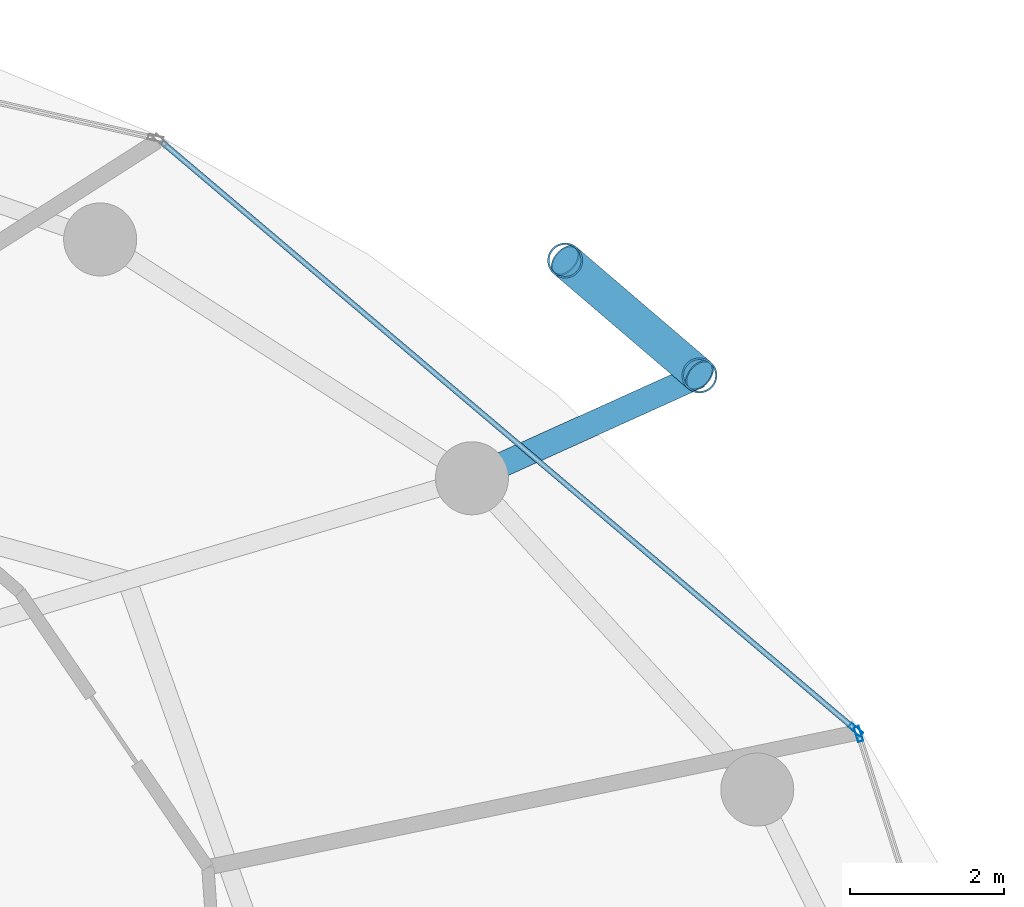
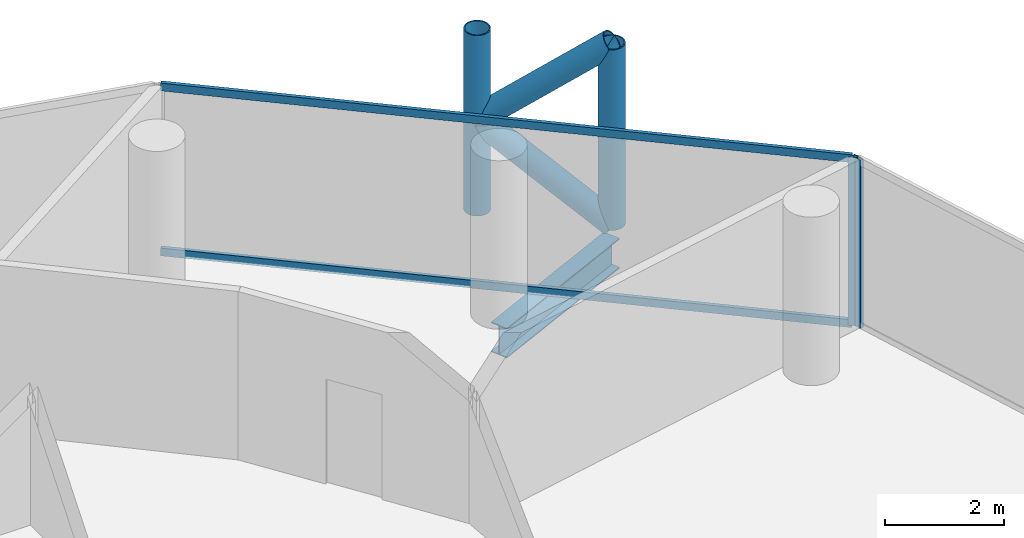
# One storey, part 19 of 26: 8 members, 1 beam, 2 elements without a shape of their own.
"""IFC4 building model written with IfcOpenShell, lengths in metres."""

from ifc_helpers import new_model, si_unit, direction, frame, origin, origin_2d, place, context, subcontext, project, spatial, hollow_rectangle, hollow_circle, i_section, extrude, material, layer, layer_set, material_profile, profile_set, type_object, element, aggregate, save


model = new_model("IFC4")

# Units and contexts
model_context = context("Model", 3, precision=1e-05, world=origin(), true_north=direction((0.0, 1.0)))
body_context = subcontext(model_context, "Body", "Model", "MODEL_VIEW")
ifc_project = project(units=[si_unit("LENGTHUNIT", "METRE"), si_unit("AREAUNIT", "SQUARE_METRE"), si_unit("VOLUMEUNIT", "CUBIC_METRE"), si_unit("PLANEANGLEUNIT", "RADIAN"), si_unit("MASSUNIT", "GRAM", prefix="KILO")], contexts=[model_context])

# Site, building, storey
site_placement = place(None, origin())
site = spatial("IfcSite", under=ifc_project, at=site_placement, CompositionType="ELEMENT")
building_placement = place(site_placement, origin())
building = spatial("IfcBuilding", under=site, at=building_placement, Name="Nuhasar Tower", CompositionType="ELEMENT")
storey_placement = place(building_placement, frame((0.0, 0.0, 147.85009765625)))
storey = spatial("IfcBuildingStorey", under=building, at=storey_placement, Name="L35", CompositionType="ELEMENT", Elevation=147.85009765625)

# Beam
ifc_material_1 = material(Name="Steel S355", Category="steel")
ifc_material_profile_1 = material_profile(ifc_material_1, i_section(OverallWidth=0.323974609375, OverallDepth=0.611083984375, WebThickness=0.0126953125, FlangeThickness=0.01904296875, at=origin_2d()), Name="W24X104")
ifc_profile_set_1 = profile_set([ifc_material_profile_1], Name="Steel S355")
beam_type = type_object("IfcBeamType", Name="BM-TIE-W24X104", PredefinedType="BEAM", material=ifc_profile_set_1)
beam_placement = place(storey_placement, frame((55.510986328125, 40.6240234375, -0.55615234375), z_axis=(0.911239591969, 0.411876687891, 0.0), x_axis=(-0.411876687891, 0.911239591969, 0.0)))
element("IfcBeam", 1, at=beam_placement, inside=storey, type_object=beam_type, Name="L35 Exoskeleton Node Tie Beam 02", PredefinedType="BEAM", context=body_context, shape_type="SweptSolid", body=[
    extrude(i_section(OverallWidth=0.323974609375, OverallDepth=0.611083984375, WebThickness=0.0126953125, FlangeThickness=0.01904296875, at=origin_2d()), origin(), (0.0, 0.0, 1.0), 3.248291015625),
])

# Curtain wall, member
ifc_material_2 = material(Name="Aluminium 6063-T6", Category="aluminium")
ifc_layer = layer(ifc_material_2, 0.199951171875)
ifc_layer_set = layer_set([ifc_layer], Name="Aluminium 6063-T6")
curtain_wall_type = type_object("IfcCurtainWallType", Name="CW-Z2-HTL", PredefinedType="NOTDEFINED", material=ifc_layer_set)
curtain_wall_1_placement = place(storey_placement, origin())
curtain_wall_1 = element("IfcCurtainWall", 2, at=curtain_wall_1_placement, inside=storey, type_object=curtain_wall_type, Name="L35 Unitised Curtain Wall 01", PredefinedType="NOTDEFINED")
ifc_material_profile_2 = material_profile(ifc_material_2, hollow_rectangle(XDim=0.070068359375, YDim=0.199951171875, WallThickness=0.0048828125, at=origin_2d()), Name="CWM-3")
ifc_profile_set_2 = profile_set([ifc_material_profile_2], Name="Aluminium 6063-T6")
member_type_1 = type_object("IfcMemberType", Name="CW-MUL-S3", PredefinedType="MULLION", material=ifc_profile_set_2)
member_1_placement = place(storey_placement, frame((60.53955078125, 37.296630859375, 0.0), z_axis=(0.0, 0.0, 1.0), x_axis=(-0.953433389233, -0.301603667577, 0.0)))
member_1 = element("IfcMember", 3, at=member_1_placement, type_object=member_type_1, Name="CW-Z2 mullion 2", PredefinedType="MULLION", context=body_context, shape_type="SweptSolid", body=[
    extrude(hollow_rectangle(XDim=0.070068359375, YDim=0.199951171875, WallThickness=0.0048828125, at=origin_2d()), origin(), (0.0, 0.0, 1.0), 3.449951171875),
])
aggregate(curtain_wall_1, [member_1])

# Curtain wall, members
curtain_wall_2_placement = place(storey_placement, origin())
curtain_wall_2 = element("IfcCurtainWall", 4, at=curtain_wall_2_placement, inside=storey, type_object=curtain_wall_type, Name="L35 Unitised Curtain Wall 02", PredefinedType="NOTDEFINED")
member_2_placement = place(storey_placement, frame((60.502197265625, 37.3525390625, 0.0), z_axis=(0.0, 0.0, 1.0), x_axis=(-0.646374438324, -0.763020370292, 0.0)))
member_2 = element("IfcMember", 5, at=member_2_placement, type_object=member_type_1, Name="CW-Z2 mullion 1", PredefinedType="MULLION", context=body_context, shape_type="SweptSolid", body=[
    extrude(hollow_rectangle(XDim=0.070068359375, YDim=0.199951171875, WallThickness=0.0048828125, at=origin_2d()), origin(), (0.0, 0.0, 1.0), 3.449951171875),
])
ifc_material_profile_3 = material_profile(ifc_material_2, hollow_rectangle(XDim=0.070068359375, YDim=0.159912109375, WallThickness=0.00439453125, at=origin_2d()), Name="CWT-3")
ifc_profile_set_3 = profile_set([ifc_material_profile_3], Name="Aluminium 6063-T6")
member_type_2 = type_object("IfcMemberType", Name="CW-TRN-S3", PredefinedType="USERDEFINED", material=ifc_profile_set_3)
member_3_placement = place(storey_placement, frame((60.4755859375, 37.375244140625, 0.034912109375), z_axis=(-0.763023915269, 0.646370253592, 0.0), x_axis=(-0.646370253592, -0.763023915269, 0.0)))
member_3 = element("IfcMember", 6, at=member_3_placement, type_object=member_type_2, Name="CW-Z2 transom 1.1", ObjectType="TRANSOM", PredefinedType="USERDEFINED", context=body_context, shape_type="SweptSolid", body=[
    extrude(hollow_rectangle(XDim=0.070068359375, YDim=0.159912109375, WallThickness=0.00439453125, at=origin_2d()), origin(), (0.0, 0.0, 1.0), 11.784912109375),
])
member_4_placement = place(storey_placement, frame((60.4755859375, 37.375244140625, 3.414794921875), z_axis=(-0.763023915269, 0.646370253592, 0.0), x_axis=(-0.646370253592, -0.763023915269, 0.0)))
member_4 = element("IfcMember", 7, at=member_4_placement, type_object=member_type_2, Name="CW-Z2 transom 1.2", ObjectType="TRANSOM", PredefinedType="USERDEFINED", context=body_context, shape_type="SweptSolid", body=[
    extrude(hollow_rectangle(XDim=0.070068359375, YDim=0.159912109375, WallThickness=0.00439453125, at=origin_2d()), origin(), (0.0, 0.0, 1.0), 11.784912109375),
])
aggregate(curtain_wall_2, [member_2, member_3, member_4])

# Members
ifc_material_3 = material(Name="Steel S460", Category="steel")
ifc_material_profile_4 = material_profile(ifc_material_3, hollow_circle(Radius=0.228515625, WallThickness=0.022216796875, at=origin_2d()), Name="HSS457X22.2")
ifc_profile_set_4 = profile_set([ifc_material_profile_4], Name="Steel S460")
member_type_3 = type_object("IfcMemberType", Name="EXO-BRONZE-457", PredefinedType="BRACE", material=ifc_profile_set_4)
for number, where, z_axis, x_axis, name in (
    (8, (58.470947265625, 41.9619140625, 0.0), (0.0, 0.0, 1.0), (1.0, 0.0, 0.0), "L35 Exoskeleton Chord Column EC-02A"),
    (9, (56.722900390625, 43.45703125, 0.0), (0.0, 0.0, 1.0), (1.0, 0.0, 0.0), "L35 Exoskeleton Chord Column EC-02B"),
):
    element("IfcMember", number, at=place(storey_placement, frame(where, z_axis=z_axis, x_axis=x_axis)), inside=storey, type_object=member_type_3, Name=name, PredefinedType="BRACE", context=body_context, shape_type="SweptSolid", body=[
        extrude(hollow_circle(Radius=0.228515625, WallThickness=0.022216796875, at=origin_2d()), origin(), (0.0, 0.0, 1.0), 3.699951171875),
    ])
member_5_placement = place(storey_placement, frame((58.470947265625, 41.9619140625, 0.0), z_axis=(-0.592201065785, 0.506513872468, 0.626690988192), x_axis=(-0.649986859795, -0.759945446788, 0.0)))
element("IfcMember", 10, at=member_5_placement, inside=storey, type_object=member_type_3, Name="L35 Bronze Diagrid Brace W1-02", PredefinedType="BRACE", context=body_context, shape_type="SweptSolid", body=[
    extrude(hollow_circle(Radius=0.228515625, WallThickness=0.022216796875, at=origin_2d()), origin(), (0.0, 0.0, 1.0), 2.95166015625),
])
member_6_placement = place(storey_placement, frame((56.722900390625, 43.45703125, 1.849853515625), z_axis=(0.592170370358, -0.506487618445, 0.626741210415), x_axis=(0.649986859795, 0.759945446788, 0.0)))
element("IfcMember", 11, at=member_6_placement, inside=storey, type_object=member_type_3, Name="L35 Bronze Diagrid Brace W2-02", PredefinedType="BRACE", context=body_context, shape_type="SweptSolid", body=[
    extrude(hollow_circle(Radius=0.228515625, WallThickness=0.022216796875, at=origin_2d()), origin(), (0.0, 0.0, 1.0), 2.951904296875),
])

save(model, "model.ifc")
